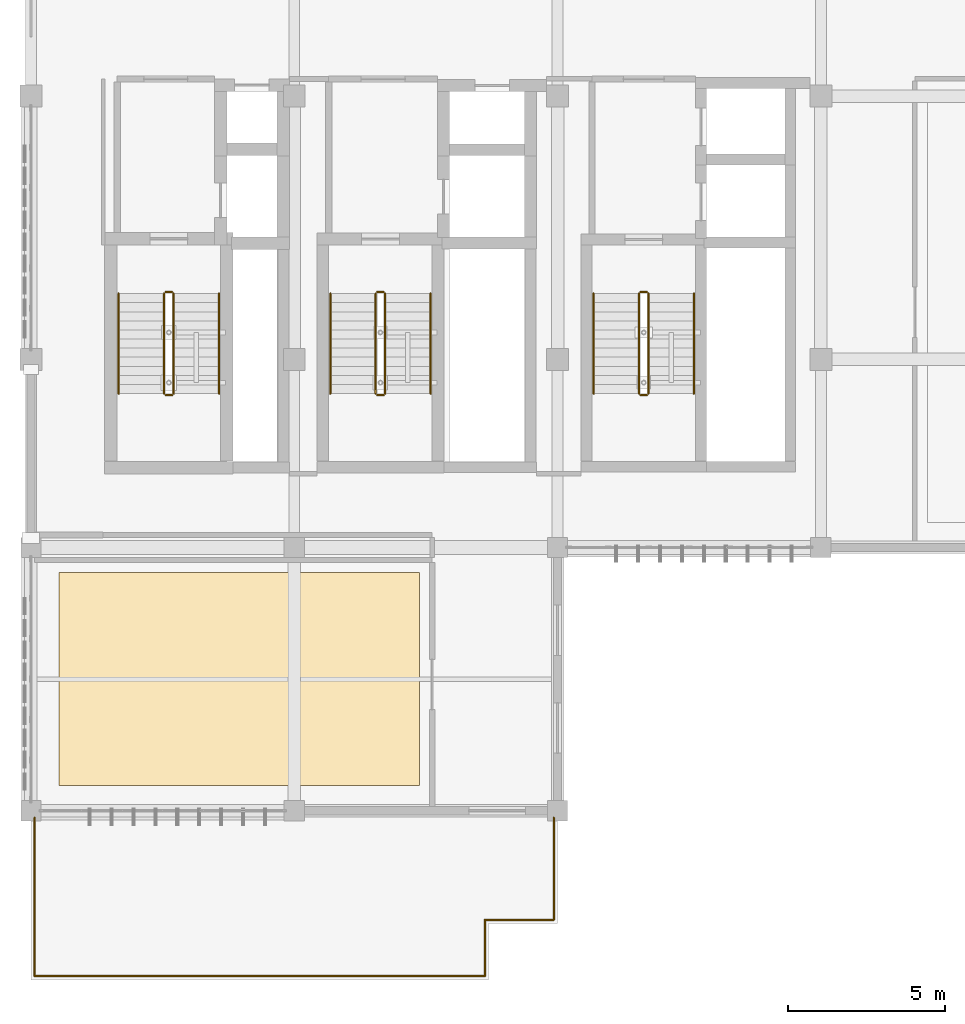
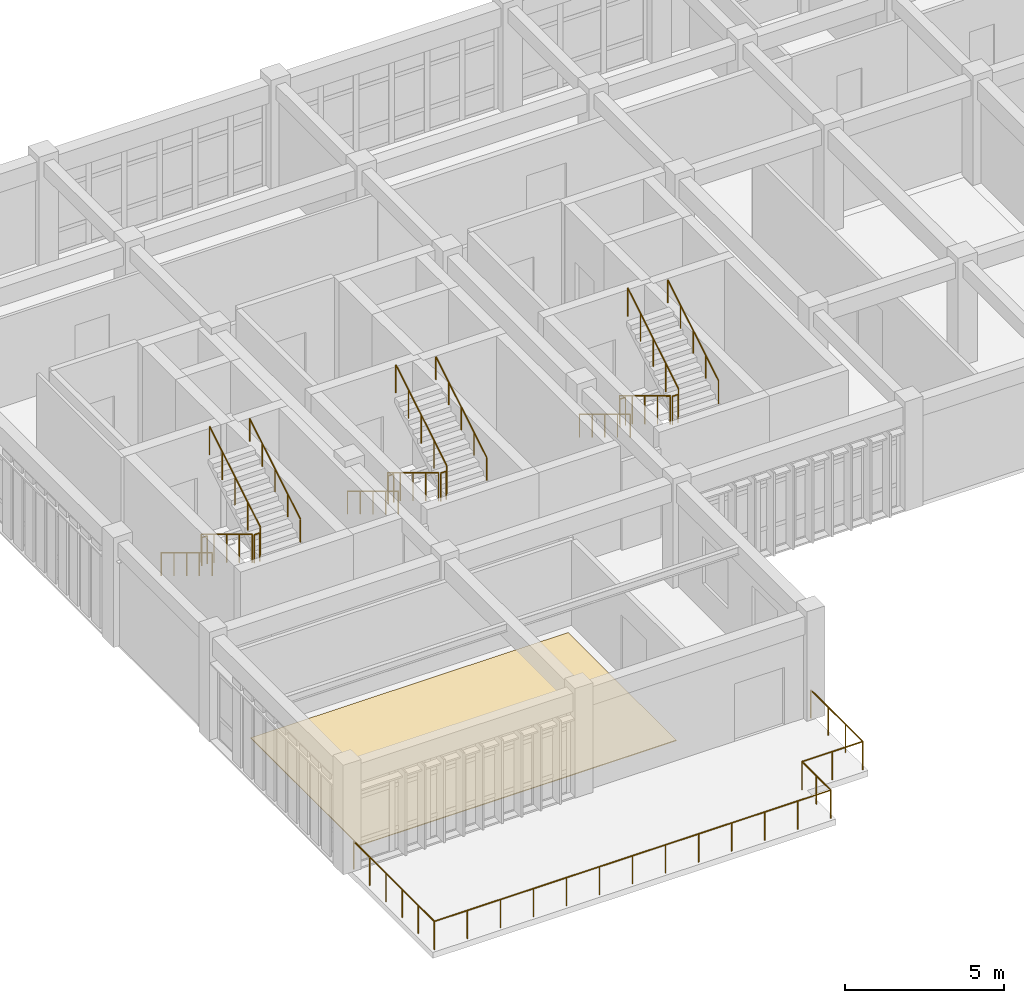
# One storey, part 22 of 23: 23 railings, 1 covering.
"""IFC4 building model written with IfcOpenShell, lengths in metres."""

from ifc_helpers import new_model, si_unit, direction, frame, origin, origin_2d, place, context, subcontext, project, spatial, polyline, circle, outline, extrude, material, layer, layer_set, type_object, element, save


model = new_model("IFC4")

# Units and contexts
model_context = context("Model", 3, precision=1e-05, world=origin(), true_north=direction((0.0, 1.0)))
body_context = subcontext(model_context, "Body", "Model", "MODEL_VIEW")
ifc_project = project(units=[si_unit("LENGTHUNIT", "METRE"), si_unit("AREAUNIT", "SQUARE_METRE"), si_unit("VOLUMEUNIT", "CUBIC_METRE"), si_unit("PLANEANGLEUNIT", "RADIAN"), si_unit("MASSUNIT", "GRAM", prefix="KILO")], contexts=[model_context])

# Site, building, storey
site_placement = place(None, origin())
site = spatial("IfcSite", under=ifc_project, at=site_placement, CompositionType="ELEMENT")
building_placement = place(site_placement, origin())
building = spatial("IfcBuilding", under=site, at=building_placement, Name="Krzemoval Escarpment Law Courts", CompositionType="ELEMENT")
storey_placement = place(building_placement, frame((0.0, 0.0, 25.199951171875)))
storey = spatial("IfcBuildingStorey", under=building, at=storey_placement, Name="L05", CompositionType="ELEMENT", Elevation=25.199951171875)

# Covering
ifc_material_1 = material(Name="Honed Silesian Granite Stone Flooring", Category="masonry")
ifc_layer = layer(ifc_material_1, 0.030029296875)
ifc_layer_set = layer_set([ifc_layer], Name="Honed Silesian Granite Stone Flooring")
covering_type = type_object("IfcCoveringType", Name="COV-FLR-STN30", PredefinedType="FLOORING", material=ifc_layer_set)
covering_placement = place(storey_placement, origin())
element("IfcCovering", 1, at=covering_placement, inside=storey, type_object=covering_type, Name="Stone Floor Finish FLR-L05-47", PredefinedType="FLOORING", context=body_context, shape_type="SweptSolid", body=[
    extrude(outline(polyline([(126.89990234375, 86.0), (126.89990234375, 92.800048828125), (138.39990234375, 92.800048828125), (138.39990234375, 86.0), (126.89990234375, 86.0)])), origin(), (0.0, 0.0, 1.0), 0.030029296875),
])

# Railings
ifc_material_2 = material(Name="Stainless Steel Grade 316L and Laminated Safety Glass Guard", Category="steel")
railing_type_1 = type_object("IfcRailingType", Name="RL-BAL-1100", PredefinedType="BALUSTRADE", material=ifc_material_2)
railing_1_placement = place(storey_placement, frame((126.1201171875, 79.919921875, 0.0)))
element("IfcRailing", 2, at=railing_1_placement, inside=storey, type_object=railing_type_1, Name="Terrace Guardrail BG-L05-027", PredefinedType="BALUSTRADE", context=body_context, shape_type="SweptSolid", body=[
    extrude(circle(Radius=0.02392578125, at=origin_2d()), frame((0.0, 0.0, 1.076171875), z_axis=(0.0, 1.0, 0.0), x_axis=(-1.0, 0.0, 0.0)), (0.0, 0.0, 1.0), 5.06005859375),
    extrude(circle(Radius=0.02099609375, at=origin_2d()), origin(), (0.0, 0.0, 1.0), 1.052001953125),
    extrude(circle(Radius=0.02099609375, at=origin_2d()), frame((0.0, 1.011962890625, 0.0)), (0.0, 0.0, 1.0), 1.052001953125),
    extrude(circle(Radius=0.02099609375, at=origin_2d()), frame((0.0, 2.02392578125, 0.0)), (0.0, 0.0, 1.0), 1.052001953125),
    extrude(circle(Radius=0.02099609375, at=origin_2d()), frame((0.0, 3.0361328125, 0.0)), (0.0, 0.0, 1.0), 1.052001953125),
    extrude(circle(Radius=0.02099609375, at=origin_2d()), frame((0.0, 4.048095703125, 0.0)), (0.0, 0.0, 1.0), 1.052001953125),
    extrude(circle(Radius=0.02099609375, at=origin_2d()), frame((0.0, 5.06005859375, 0.0)), (0.0, 0.0, 1.0), 1.052001953125),
])
railing_2_placement = place(storey_placement, frame((142.679931640625, 84.97998046875, 0.0)))
element("IfcRailing", 3, at=railing_2_placement, inside=storey, type_object=railing_type_1, Name="Terrace Guardrail BG-L05-028", PredefinedType="BALUSTRADE", context=body_context, shape_type="SweptSolid", body=[
    extrude(circle(Radius=0.02392578125, at=origin_2d()), frame((0.0, 0.0, 1.076171875), z_axis=(0.0, -1.0, 0.0), x_axis=(1.0, 0.0, 0.0)), (0.0, 0.0, 1.0), 3.260009765625),
    extrude(circle(Radius=0.02099609375, at=origin_2d()), origin(), (0.0, 0.0, 1.0), 1.052001953125),
    extrude(circle(Radius=0.02099609375, at=origin_2d()), frame((0.0, -1.086669921875, 0.0)), (0.0, 0.0, 1.0), 1.052001953125),
    extrude(circle(Radius=0.02099609375, at=origin_2d()), frame((0.0, -2.17333984375, 0.0)), (0.0, 0.0, 1.0), 1.052001953125),
    extrude(circle(Radius=0.02099609375, at=origin_2d()), frame((0.0, -3.260009765625, 0.0)), (0.0, 0.0, 1.0), 1.052001953125),
])
railing_3_placement = place(storey_placement, frame((142.679931640625, 81.719970703125, 0.0)))
element("IfcRailing", 4, at=railing_3_placement, inside=storey, type_object=railing_type_1, Name="Terrace Guardrail BG-L05-029", PredefinedType="BALUSTRADE", context=body_context, shape_type="SweptSolid", body=[
    extrude(circle(Radius=0.02392578125, at=origin_2d()), frame((0.0, 0.0, 1.076171875), z_axis=(-1.0, 0.0, 0.0), x_axis=(0.0, -1.0, 0.0)), (0.0, 0.0, 1.0), 2.199951171875),
    extrude(circle(Radius=0.02099609375, at=origin_2d()), origin(), (0.0, 0.0, 1.0), 1.052001953125),
    extrude(circle(Radius=0.02099609375, at=origin_2d()), frame((-1.10009765625, 0.0, 0.0)), (0.0, 0.0, 1.0), 1.052001953125),
    extrude(circle(Radius=0.02099609375, at=origin_2d()), frame((-2.199951171875, 0.0, 0.0)), (0.0, 0.0, 1.0), 1.052001953125),
])
railing_4_placement = place(storey_placement, frame((140.47998046875, 81.719970703125, 0.0)))
element("IfcRailing", 5, at=railing_4_placement, inside=storey, type_object=railing_type_1, Name="Terrace Guardrail BG-L05-030", PredefinedType="BALUSTRADE", context=body_context, shape_type="SweptSolid", body=[
    extrude(circle(Radius=0.02392578125, at=origin_2d()), frame((0.0, 0.0, 1.076171875), z_axis=(0.0, -1.0, 0.0), x_axis=(1.0, 0.0, 0.0)), (0.0, 0.0, 1.0), 1.800048828125),
    extrude(circle(Radius=0.02099609375, at=origin_2d()), origin(), (0.0, 0.0, 1.0), 1.052001953125),
    extrude(circle(Radius=0.02099609375, at=origin_2d()), frame((0.0, -0.89990234375, 0.0)), (0.0, 0.0, 1.0), 1.052001953125),
    extrude(circle(Radius=0.02099609375, at=origin_2d()), frame((0.0, -1.800048828125, 0.0)), (0.0, 0.0, 1.0), 1.052001953125),
])
railing_5_placement = place(storey_placement, frame((140.47998046875, 79.919921875, 0.0)))
element("IfcRailing", 6, at=railing_5_placement, inside=storey, type_object=railing_type_1, Name="Terrace Guardrail BG-L05-031", PredefinedType="BALUSTRADE", context=body_context, shape_type="SweptSolid", body=[
    extrude(circle(Radius=0.02392578125, at=origin_2d()), frame((0.0, 0.0, 1.076171875), z_axis=(-1.0, 0.0, 0.0), x_axis=(0.0, -1.0, 0.0)), (0.0, 0.0, 1.0), 14.35986328125),
    extrude(circle(Radius=0.02099609375, at=origin_2d()), origin(), (0.0, 0.0, 1.0), 1.052001953125),
    extrude(circle(Radius=0.02099609375, at=origin_2d()), frame((-1.19677734375, 0.0, 0.0)), (0.0, 0.0, 1.0), 1.052001953125),
    extrude(circle(Radius=0.02099609375, at=origin_2d()), frame((-2.393310546875, 0.0, 0.0)), (0.0, 0.0, 1.0), 1.052001953125),
    extrude(circle(Radius=0.02099609375, at=origin_2d()), frame((-3.58984375, 0.0, 0.0)), (0.0, 0.0, 1.0), 1.052001953125),
    extrude(circle(Radius=0.02099609375, at=origin_2d()), frame((-4.78662109375, 0.0, 0.0)), (0.0, 0.0, 1.0), 1.052001953125),
    extrude(circle(Radius=0.02099609375, at=origin_2d()), frame((-5.9833984375, 0.0, 0.0)), (0.0, 0.0, 1.0), 1.052001953125),
    extrude(circle(Radius=0.02099609375, at=origin_2d()), frame((-7.179931640625, 0.0, 0.0)), (0.0, 0.0, 1.0), 1.052001953125),
    extrude(circle(Radius=0.02099609375, at=origin_2d()), frame((-8.37646484375, 0.0, 0.0)), (0.0, 0.0, 1.0), 1.052001953125),
    extrude(circle(Radius=0.02099609375, at=origin_2d()), frame((-9.5732421875, 0.0, 0.0)), (0.0, 0.0, 1.0), 1.052001953125),
    extrude(circle(Radius=0.02099609375, at=origin_2d()), frame((-10.77001953125, 0.0, 0.0)), (0.0, 0.0, 1.0), 1.052001953125),
    extrude(circle(Radius=0.02099609375, at=origin_2d()), frame((-11.966552734375, 0.0, 0.0)), (0.0, 0.0, 1.0), 1.052001953125),
    extrude(circle(Radius=0.02099609375, at=origin_2d()), frame((-13.1630859375, 0.0, 0.0)), (0.0, 0.0, 1.0), 1.052001953125),
    extrude(circle(Radius=0.02099609375, at=origin_2d()), frame((-14.35986328125, 0.0, 0.0)), (0.0, 0.0, 1.0), 1.052001953125),
])
ifc_material_3 = material(Name="Galvanised Steel S355", Category="steel")
railing_type_2 = type_object("IfcRailingType", Name="RL-GRD-1100", PredefinedType="GUARDRAIL", material=ifc_material_3)
railing_6_placement = place(storey_placement, frame((130.25, 101.699951171875, 0.175048828125)))
element("IfcRailing", 7, at=railing_6_placement, inside=storey, type_object=railing_type_2, Name="L05 ST1 stair guard 1", PredefinedType="GUARDRAIL", context=body_context, shape_type="SweptSolid", body=[
    extrude(circle(Radius=0.02392578125, at=origin_2d()), frame((0.0, 0.0, 1.076171875), z_axis=(0.0, -0.856177665481, 0.516681531633), x_axis=(1.0, 0.0, 0.0)), (0.0, 0.0, 1.0), 3.725830078125),
    extrude(circle(Radius=0.02099609375, at=origin_2d()), origin(), (0.0, 0.0, 1.0), 1.052001953125),
    extrude(circle(Radius=0.02099609375, at=origin_2d()), frame((0.0, -0.79736328125, 0.481201171875)), (0.0, 0.0, 1.0), 1.052001953125),
    extrude(circle(Radius=0.02099609375, at=origin_2d()), frame((0.0, -1.594970703125, 0.96240234375)), (0.0, 0.0, 1.0), 1.052001953125),
    extrude(circle(Radius=0.02099609375, at=origin_2d()), frame((0.0, -2.392578125, 1.44384765625)), (0.0, 0.0, 1.0), 1.052001953125),
    extrude(circle(Radius=0.02099609375, at=origin_2d()), frame((0.0, -3.18994140625, 1.925048828125)), (0.0, 0.0, 1.0), 1.052001953125),
])
railing_7_placement = place(storey_placement, frame((130.300048828125, 98.4599609375, 2.10009765625)))
element("IfcRailing", 8, at=railing_7_placement, inside=storey, type_object=railing_type_2, Name="L05 ST1 stair guard 2", PredefinedType="GUARDRAIL", context=body_context, shape_type="SweptSolid", body=[
    extrude(circle(Radius=0.02392578125, at=origin_2d()), frame((0.0, 0.0, 1.076171875), z_axis=(1.0, 0.0, 0.0), x_axis=(0.0, 1.0, 0.0)), (0.0, 0.0, 1.0), 0.199951171875),
    extrude(circle(Radius=0.02099609375, at=origin_2d()), origin(), (0.0, 0.0, 1.0), 1.052001953125),
    extrude(circle(Radius=0.02099609375, at=origin_2d()), frame((0.199951171875, 0.0, 0.0)), (0.0, 0.0, 1.0), 1.052001953125),
])
railing_8_placement = place(storey_placement, frame((130.550048828125, 98.510009765625, 2.275146484375)))
element("IfcRailing", 9, at=railing_8_placement, inside=storey, type_object=railing_type_2, Name="L05 ST1 stair guard 3", PredefinedType="GUARDRAIL", context=body_context, shape_type="SweptSolid", body=[
    extrude(circle(Radius=0.02392578125, at=origin_2d()), frame((0.0, 0.0, 1.076171875), z_axis=(0.0, 0.856206652436, 0.516633495163), x_axis=(-1.0, 0.0, 0.0)), (0.0, 0.0, 1.0), 3.7255859375),
    extrude(circle(Radius=0.02099609375, at=origin_2d()), origin(), (0.0, 0.0, 1.0), 1.052001953125),
    extrude(circle(Radius=0.02099609375, at=origin_2d()), frame((0.0, 0.79736328125, 0.481201171875)), (0.0, 0.0, 1.0), 1.052001953125),
    extrude(circle(Radius=0.02099609375, at=origin_2d()), frame((0.0, 1.594970703125, 0.96240234375)), (0.0, 0.0, 1.0), 1.052001953125),
    extrude(circle(Radius=0.02099609375, at=origin_2d()), frame((0.0, 2.392578125, 1.443603515625)), (0.0, 0.0, 1.0), 1.052001953125),
    extrude(circle(Radius=0.02099609375, at=origin_2d()), frame((0.0, 3.18994140625, 1.9248046875)), (0.0, 0.0, 1.0), 1.052001953125),
])
railing_9_placement = place(storey_placement, frame((130.300048828125, 101.75, 0.0)))
element("IfcRailing", 10, at=railing_9_placement, inside=storey, type_object=railing_type_2, Name="L05 ST1 stair guard 4", PredefinedType="GUARDRAIL", context=body_context, shape_type="SweptSolid", body=[
    extrude(circle(Radius=0.02392578125, at=origin_2d()), frame((0.0, 0.0, 1.076171875), z_axis=(1.0, 0.0, 0.0), x_axis=(0.0, 1.0, 0.0)), (0.0, 0.0, 1.0), 0.199951171875),
    extrude(circle(Radius=0.02099609375, at=origin_2d()), origin(), (0.0, 0.0, 1.0), 1.052001953125),
    extrude(circle(Radius=0.02099609375, at=origin_2d()), frame((0.199951171875, 0.0, 0.0)), (0.0, 0.0, 1.0), 1.052001953125),
])
railing_10_placement = place(storey_placement, frame((137.0, 101.699951171875, 0.175048828125)))
element("IfcRailing", 11, at=railing_10_placement, inside=storey, type_object=railing_type_2, Name="L05 ST2 stair guard 1", PredefinedType="GUARDRAIL", context=body_context, shape_type="SweptSolid", body=[
    extrude(circle(Radius=0.02392578125, at=origin_2d()), frame((0.0, 0.0, 1.076171875), z_axis=(0.0, -0.856177665481, 0.516681531633), x_axis=(1.0, 0.0, 0.0)), (0.0, 0.0, 1.0), 3.725830078125),
    extrude(circle(Radius=0.02099609375, at=origin_2d()), origin(), (0.0, 0.0, 1.0), 1.052001953125),
    extrude(circle(Radius=0.02099609375, at=origin_2d()), frame((0.0, -0.79736328125, 0.481201171875)), (0.0, 0.0, 1.0), 1.052001953125),
    extrude(circle(Radius=0.02099609375, at=origin_2d()), frame((0.0, -1.594970703125, 0.96240234375)), (0.0, 0.0, 1.0), 1.052001953125),
    extrude(circle(Radius=0.02099609375, at=origin_2d()), frame((0.0, -2.392578125, 1.44384765625)), (0.0, 0.0, 1.0), 1.052001953125),
    extrude(circle(Radius=0.02099609375, at=origin_2d()), frame((0.0, -3.18994140625, 1.925048828125)), (0.0, 0.0, 1.0), 1.052001953125),
])
railing_11_placement = place(storey_placement, frame((137.050048828125, 98.4599609375, 2.10009765625)))
element("IfcRailing", 12, at=railing_11_placement, inside=storey, type_object=railing_type_2, Name="L05 ST2 stair guard 2", PredefinedType="GUARDRAIL", context=body_context, shape_type="SweptSolid", body=[
    extrude(circle(Radius=0.02392578125, at=origin_2d()), frame((0.0, 0.0, 1.076171875), z_axis=(1.0, 0.0, 0.0), x_axis=(0.0, 1.0, 0.0)), (0.0, 0.0, 1.0), 0.199951171875),
    extrude(circle(Radius=0.02099609375, at=origin_2d()), origin(), (0.0, 0.0, 1.0), 1.052001953125),
    extrude(circle(Radius=0.02099609375, at=origin_2d()), frame((0.199951171875, 0.0, 0.0)), (0.0, 0.0, 1.0), 1.052001953125),
])
railing_12_placement = place(storey_placement, frame((137.300048828125, 98.510009765625, 2.275146484375)))
element("IfcRailing", 13, at=railing_12_placement, inside=storey, type_object=railing_type_2, Name="L05 ST2 stair guard 3", PredefinedType="GUARDRAIL", context=body_context, shape_type="SweptSolid", body=[
    extrude(circle(Radius=0.02392578125, at=origin_2d()), frame((0.0, 0.0, 1.076171875), z_axis=(0.0, 0.856206652436, 0.516633495163), x_axis=(-1.0, 0.0, 0.0)), (0.0, 0.0, 1.0), 3.7255859375),
    extrude(circle(Radius=0.02099609375, at=origin_2d()), origin(), (0.0, 0.0, 1.0), 1.052001953125),
    extrude(circle(Radius=0.02099609375, at=origin_2d()), frame((0.0, 0.79736328125, 0.481201171875)), (0.0, 0.0, 1.0), 1.052001953125),
    extrude(circle(Radius=0.02099609375, at=origin_2d()), frame((0.0, 1.594970703125, 0.96240234375)), (0.0, 0.0, 1.0), 1.052001953125),
    extrude(circle(Radius=0.02099609375, at=origin_2d()), frame((0.0, 2.392578125, 1.443603515625)), (0.0, 0.0, 1.0), 1.052001953125),
    extrude(circle(Radius=0.02099609375, at=origin_2d()), frame((0.0, 3.18994140625, 1.9248046875)), (0.0, 0.0, 1.0), 1.052001953125),
])
railing_13_placement = place(storey_placement, frame((137.050048828125, 101.75, 0.0)))
element("IfcRailing", 14, at=railing_13_placement, inside=storey, type_object=railing_type_2, Name="L05 ST2 stair guard 4", PredefinedType="GUARDRAIL", context=body_context, shape_type="SweptSolid", body=[
    extrude(circle(Radius=0.02392578125, at=origin_2d()), frame((0.0, 0.0, 1.076171875), z_axis=(1.0, 0.0, 0.0), x_axis=(0.0, 1.0, 0.0)), (0.0, 0.0, 1.0), 0.199951171875),
    extrude(circle(Radius=0.02099609375, at=origin_2d()), origin(), (0.0, 0.0, 1.0), 1.052001953125),
    extrude(circle(Radius=0.02099609375, at=origin_2d()), frame((0.199951171875, 0.0, 0.0)), (0.0, 0.0, 1.0), 1.052001953125),
])
railing_14_placement = place(storey_placement, frame((145.39990234375, 101.699951171875, 0.175048828125)))
element("IfcRailing", 15, at=railing_14_placement, inside=storey, type_object=railing_type_2, Name="L05 ST3 stair guard 1", PredefinedType="GUARDRAIL", context=body_context, shape_type="SweptSolid", body=[
    extrude(circle(Radius=0.02392578125, at=origin_2d()), frame((0.0, 0.0, 1.076171875), z_axis=(0.0, -0.856177665481, 0.516681531633), x_axis=(1.0, 0.0, 0.0)), (0.0, 0.0, 1.0), 3.725830078125),
    extrude(circle(Radius=0.02099609375, at=origin_2d()), origin(), (0.0, 0.0, 1.0), 1.052001953125),
    extrude(circle(Radius=0.02099609375, at=origin_2d()), frame((0.0, -0.79736328125, 0.481201171875)), (0.0, 0.0, 1.0), 1.052001953125),
    extrude(circle(Radius=0.02099609375, at=origin_2d()), frame((0.0, -1.594970703125, 0.96240234375)), (0.0, 0.0, 1.0), 1.052001953125),
    extrude(circle(Radius=0.02099609375, at=origin_2d()), frame((0.0, -2.392578125, 1.44384765625)), (0.0, 0.0, 1.0), 1.052001953125),
    extrude(circle(Radius=0.02099609375, at=origin_2d()), frame((0.0, -3.18994140625, 1.925048828125)), (0.0, 0.0, 1.0), 1.052001953125),
])
railing_15_placement = place(storey_placement, frame((145.449951171875, 98.4599609375, 2.10009765625)))
element("IfcRailing", 16, at=railing_15_placement, inside=storey, type_object=railing_type_2, Name="L05 ST3 stair guard 2", PredefinedType="GUARDRAIL", context=body_context, shape_type="SweptSolid", body=[
    extrude(circle(Radius=0.02392578125, at=origin_2d()), frame((0.0, 0.0, 1.076171875), z_axis=(1.0, 0.0, 0.0), x_axis=(0.0, 1.0, 0.0)), (0.0, 0.0, 1.0), 0.199951171875),
    extrude(circle(Radius=0.02099609375, at=origin_2d()), origin(), (0.0, 0.0, 1.0), 1.052001953125),
    extrude(circle(Radius=0.02099609375, at=origin_2d()), frame((0.199951171875, 0.0, 0.0)), (0.0, 0.0, 1.0), 1.052001953125),
])
railing_16_placement = place(storey_placement, frame((145.699951171875, 98.510009765625, 2.275146484375)))
element("IfcRailing", 17, at=railing_16_placement, inside=storey, type_object=railing_type_2, Name="L05 ST3 stair guard 3", PredefinedType="GUARDRAIL", context=body_context, shape_type="SweptSolid", body=[
    extrude(circle(Radius=0.02392578125, at=origin_2d()), frame((0.0, 0.0, 1.076171875), z_axis=(0.0, 0.856206652436, 0.516633495163), x_axis=(-1.0, 0.0, 0.0)), (0.0, 0.0, 1.0), 3.7255859375),
    extrude(circle(Radius=0.02099609375, at=origin_2d()), origin(), (0.0, 0.0, 1.0), 1.052001953125),
    extrude(circle(Radius=0.02099609375, at=origin_2d()), frame((0.0, 0.79736328125, 0.481201171875)), (0.0, 0.0, 1.0), 1.052001953125),
    extrude(circle(Radius=0.02099609375, at=origin_2d()), frame((0.0, 1.594970703125, 0.96240234375)), (0.0, 0.0, 1.0), 1.052001953125),
    extrude(circle(Radius=0.02099609375, at=origin_2d()), frame((0.0, 2.392578125, 1.443603515625)), (0.0, 0.0, 1.0), 1.052001953125),
    extrude(circle(Radius=0.02099609375, at=origin_2d()), frame((0.0, 3.18994140625, 1.9248046875)), (0.0, 0.0, 1.0), 1.052001953125),
])
railing_17_placement = place(storey_placement, frame((145.449951171875, 101.75, 0.0)))
element("IfcRailing", 18, at=railing_17_placement, inside=storey, type_object=railing_type_2, Name="L05 ST3 stair guard 4", PredefinedType="GUARDRAIL", context=body_context, shape_type="SweptSolid", body=[
    extrude(circle(Radius=0.02392578125, at=origin_2d()), frame((0.0, 0.0, 1.076171875), z_axis=(1.0, 0.0, 0.0), x_axis=(0.0, 1.0, 0.0)), (0.0, 0.0, 1.0), 0.199951171875),
    extrude(circle(Radius=0.02099609375, at=origin_2d()), origin(), (0.0, 0.0, 1.0), 1.052001953125),
    extrude(circle(Radius=0.02099609375, at=origin_2d()), frame((0.199951171875, 0.0, 0.0)), (0.0, 0.0, 1.0), 1.052001953125),
])
ifc_material_4 = material(Name="Brushed Stainless Steel Grade 304 Handrail", Category="steel")
railing_type_3 = type_object("IfcRailingType", Name="RL-HND-900", PredefinedType="HANDRAIL", material=ifc_material_4)
railing_18_placement = place(storey_placement, frame((128.800048828125, 101.699951171875, 0.175048828125)))
element("IfcRailing", 19, at=railing_18_placement, inside=storey, type_object=railing_type_3, Name="L05 ST1 stair handrail 1", PredefinedType="HANDRAIL", context=body_context, shape_type="SweptSolid", body=[
    extrude(circle(Radius=0.02392578125, at=origin_2d()), frame((0.0, 0.0, 0.8759765625), z_axis=(0.0, -0.856177665481, 0.516681531633), x_axis=(1.0, 0.0, 0.0)), (0.0, 0.0, 1.0), 3.725830078125),
    extrude(circle(Radius=0.02099609375, at=origin_2d()), origin(), (0.0, 0.0, 1.0), 0.851806640625),
    extrude(circle(Radius=0.02099609375, at=origin_2d()), frame((0.0, -0.79736328125, 0.481201171875)), (0.0, 0.0, 1.0), 0.851806640625),
    extrude(circle(Radius=0.02099609375, at=origin_2d()), frame((0.0, -1.594970703125, 0.96240234375)), (0.0, 0.0, 1.0), 0.851806640625),
    extrude(circle(Radius=0.02099609375, at=origin_2d()), frame((0.0, -2.392578125, 1.44384765625)), (0.0, 0.0, 1.0), 0.851806640625),
    extrude(circle(Radius=0.02099609375, at=origin_2d()), frame((0.0, -3.18994140625, 1.925048828125)), (0.0, 0.0, 1.0), 0.851806640625),
])
railing_19_placement = place(storey_placement, frame((132.0, 98.510009765625, 2.275146484375)))
element("IfcRailing", 20, at=railing_19_placement, inside=storey, type_object=railing_type_3, Name="L05 ST1 stair handrail 2", PredefinedType="HANDRAIL", context=body_context, shape_type="SweptSolid", body=[
    extrude(circle(Radius=0.02392578125, at=origin_2d()), frame((0.0, 0.0, 0.8759765625), z_axis=(0.0, 0.856206652436, 0.516633495163), x_axis=(-1.0, 0.0, 0.0)), (0.0, 0.0, 1.0), 3.7255859375),
    extrude(circle(Radius=0.02099609375, at=origin_2d()), origin(), (0.0, 0.0, 1.0), 0.851806640625),
    extrude(circle(Radius=0.02099609375, at=origin_2d()), frame((0.0, 0.79736328125, 0.481201171875)), (0.0, 0.0, 1.0), 0.851806640625),
    extrude(circle(Radius=0.02099609375, at=origin_2d()), frame((0.0, 1.594970703125, 0.96240234375)), (0.0, 0.0, 1.0), 0.851806640625),
    extrude(circle(Radius=0.02099609375, at=origin_2d()), frame((0.0, 2.392578125, 1.443603515625)), (0.0, 0.0, 1.0), 0.851806640625),
    extrude(circle(Radius=0.02099609375, at=origin_2d()), frame((0.0, 3.18994140625, 1.9248046875)), (0.0, 0.0, 1.0), 0.851806640625),
])
railing_20_placement = place(storey_placement, frame((135.550048828125, 101.699951171875, 0.175048828125)))
element("IfcRailing", 21, at=railing_20_placement, inside=storey, type_object=railing_type_3, Name="L05 ST2 stair handrail 1", PredefinedType="HANDRAIL", context=body_context, shape_type="SweptSolid", body=[
    extrude(circle(Radius=0.02392578125, at=origin_2d()), frame((0.0, 0.0, 0.8759765625), z_axis=(0.0, -0.856177665481, 0.516681531633), x_axis=(1.0, 0.0, 0.0)), (0.0, 0.0, 1.0), 3.725830078125),
    extrude(circle(Radius=0.02099609375, at=origin_2d()), origin(), (0.0, 0.0, 1.0), 0.851806640625),
    extrude(circle(Radius=0.02099609375, at=origin_2d()), frame((0.0, -0.79736328125, 0.481201171875)), (0.0, 0.0, 1.0), 0.851806640625),
    extrude(circle(Radius=0.02099609375, at=origin_2d()), frame((0.0, -1.594970703125, 0.96240234375)), (0.0, 0.0, 1.0), 0.851806640625),
    extrude(circle(Radius=0.02099609375, at=origin_2d()), frame((0.0, -2.392578125, 1.44384765625)), (0.0, 0.0, 1.0), 0.851806640625),
    extrude(circle(Radius=0.02099609375, at=origin_2d()), frame((0.0, -3.18994140625, 1.925048828125)), (0.0, 0.0, 1.0), 0.851806640625),
])
railing_21_placement = place(storey_placement, frame((138.75, 98.510009765625, 2.275146484375)))
element("IfcRailing", 22, at=railing_21_placement, inside=storey, type_object=railing_type_3, Name="L05 ST2 stair handrail 2", PredefinedType="HANDRAIL", context=body_context, shape_type="SweptSolid", body=[
    extrude(circle(Radius=0.02392578125, at=origin_2d()), frame((0.0, 0.0, 0.8759765625), z_axis=(0.0, 0.856206652436, 0.516633495163), x_axis=(-1.0, 0.0, 0.0)), (0.0, 0.0, 1.0), 3.7255859375),
    extrude(circle(Radius=0.02099609375, at=origin_2d()), origin(), (0.0, 0.0, 1.0), 0.851806640625),
    extrude(circle(Radius=0.02099609375, at=origin_2d()), frame((0.0, 0.79736328125, 0.481201171875)), (0.0, 0.0, 1.0), 0.851806640625),
    extrude(circle(Radius=0.02099609375, at=origin_2d()), frame((0.0, 1.594970703125, 0.96240234375)), (0.0, 0.0, 1.0), 0.851806640625),
    extrude(circle(Radius=0.02099609375, at=origin_2d()), frame((0.0, 2.392578125, 1.443603515625)), (0.0, 0.0, 1.0), 0.851806640625),
    extrude(circle(Radius=0.02099609375, at=origin_2d()), frame((0.0, 3.18994140625, 1.9248046875)), (0.0, 0.0, 1.0), 0.851806640625),
])
railing_22_placement = place(storey_placement, frame((143.949951171875, 101.699951171875, 0.175048828125)))
element("IfcRailing", 23, at=railing_22_placement, inside=storey, type_object=railing_type_3, Name="L05 ST3 stair handrail 1", PredefinedType="HANDRAIL", context=body_context, shape_type="SweptSolid", body=[
    extrude(circle(Radius=0.02392578125, at=origin_2d()), frame((0.0, 0.0, 0.8759765625), z_axis=(0.0, -0.856177665481, 0.516681531633), x_axis=(1.0, 0.0, 0.0)), (0.0, 0.0, 1.0), 3.725830078125),
    extrude(circle(Radius=0.02099609375, at=origin_2d()), origin(), (0.0, 0.0, 1.0), 0.851806640625),
    extrude(circle(Radius=0.02099609375, at=origin_2d()), frame((0.0, -0.79736328125, 0.481201171875)), (0.0, 0.0, 1.0), 0.851806640625),
    extrude(circle(Radius=0.02099609375, at=origin_2d()), frame((0.0, -1.594970703125, 0.96240234375)), (0.0, 0.0, 1.0), 0.851806640625),
    extrude(circle(Radius=0.02099609375, at=origin_2d()), frame((0.0, -2.392578125, 1.44384765625)), (0.0, 0.0, 1.0), 0.851806640625),
    extrude(circle(Radius=0.02099609375, at=origin_2d()), frame((0.0, -3.18994140625, 1.925048828125)), (0.0, 0.0, 1.0), 0.851806640625),
])
railing_23_placement = place(storey_placement, frame((147.14990234375, 98.510009765625, 2.275146484375)))
element("IfcRailing", 24, at=railing_23_placement, inside=storey, type_object=railing_type_3, Name="L05 ST3 stair handrail 2", PredefinedType="HANDRAIL", context=body_context, shape_type="SweptSolid", body=[
    extrude(circle(Radius=0.02392578125, at=origin_2d()), frame((0.0, 0.0, 0.8759765625), z_axis=(0.0, 0.856206652436, 0.516633495163), x_axis=(-1.0, 0.0, 0.0)), (0.0, 0.0, 1.0), 3.7255859375),
    extrude(circle(Radius=0.02099609375, at=origin_2d()), origin(), (0.0, 0.0, 1.0), 0.851806640625),
    extrude(circle(Radius=0.02099609375, at=origin_2d()), frame((0.0, 0.79736328125, 0.481201171875)), (0.0, 0.0, 1.0), 0.851806640625),
    extrude(circle(Radius=0.02099609375, at=origin_2d()), frame((0.0, 1.594970703125, 0.96240234375)), (0.0, 0.0, 1.0), 0.851806640625),
    extrude(circle(Radius=0.02099609375, at=origin_2d()), frame((0.0, 2.392578125, 1.443603515625)), (0.0, 0.0, 1.0), 0.851806640625),
    extrude(circle(Radius=0.02099609375, at=origin_2d()), frame((0.0, 3.18994140625, 1.9248046875)), (0.0, 0.0, 1.0), 0.851806640625),
])

save(model, "model.ifc")
